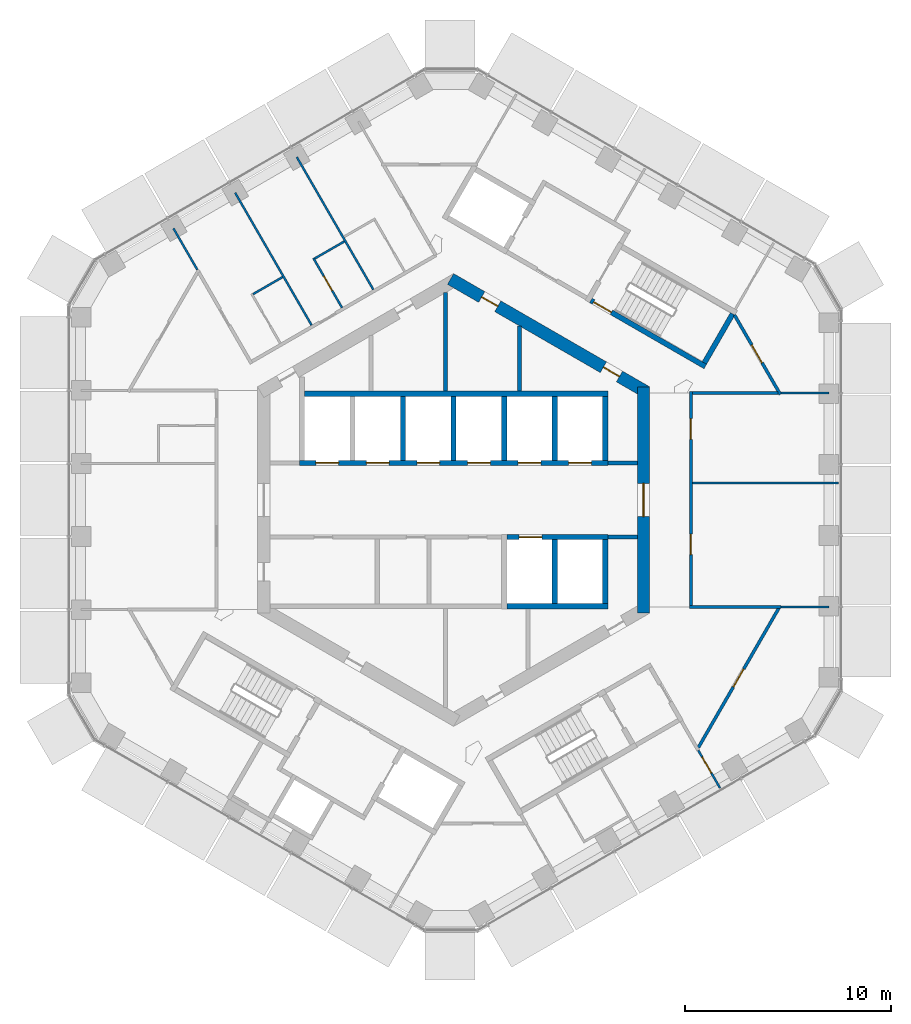
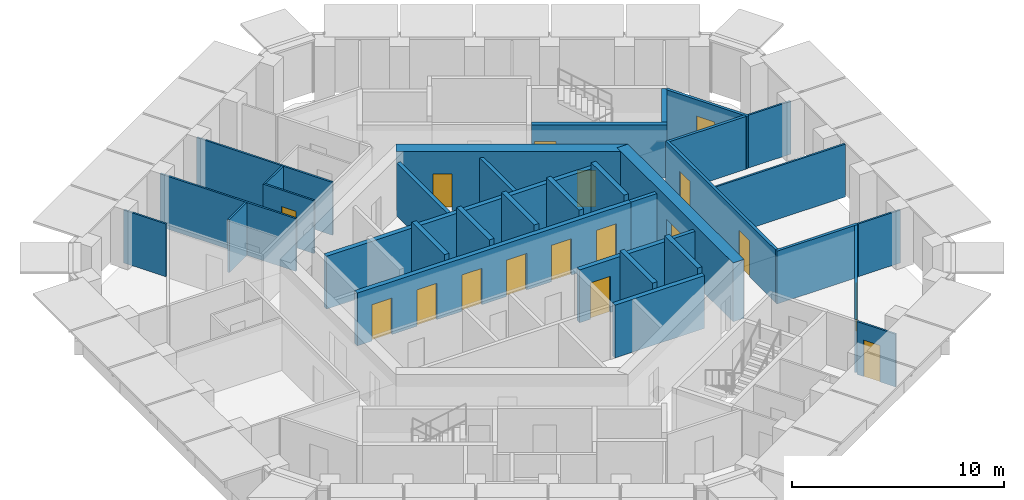
# One storey, part 15 of 18: 34 walls, 17 doors, 17 openings.
"""IFC4 building model written with IfcOpenShell, lengths in metres."""

from ifc_helpers import new_model, si_unit, direction, frame, frame_2d, origin, place, context, subcontext, project, spatial, rectangle, extrude, material, layer, layer_set, type_object, element, fill, save


model = new_model("IFC4")

# Units and contexts
model_context = context("Model", 3, precision=1e-05, world=origin(), true_north=direction((0.0, 1.0)))
body_context = subcontext(model_context, "Body", "Model", "MODEL_VIEW")
ifc_project = project(units=[si_unit("LENGTHUNIT", "METRE"), si_unit("AREAUNIT", "SQUARE_METRE"), si_unit("VOLUMEUNIT", "CUBIC_METRE"), si_unit("PLANEANGLEUNIT", "RADIAN"), si_unit("MASSUNIT", "GRAM", prefix="KILO")], contexts=[model_context])

# Site, building, storey
site_placement = place(None, origin())
site = spatial("IfcSite", under=ifc_project, at=site_placement, CompositionType="ELEMENT")
building_placement = place(site_placement, origin())
building = spatial("IfcBuilding", under=site, at=building_placement, Name="Ayvan Gate Tower", CompositionType="ELEMENT")
storey_placement = place(building_placement, frame((0.0, 0.0, 159.5)))
storey = spatial("IfcBuildingStorey", under=building, at=storey_placement, Name="L42", CompositionType="ELEMENT", Elevation=159.5)

# Wall, opening, door
ifc_material_1 = material(Name="Concrete C60/75", Category="concrete")
ifc_layer_1 = layer(ifc_material_1, 0.60009765625)
ifc_layer_set_1 = layer_set([ifc_layer_1], Name="Concrete C60/75")
wall_type_1 = type_object("IfcWallType", Name="Core wall 600 C60/75", PredefinedType="SHEAR", material=ifc_layer_set_1)
wall_1_placement = place(storey_placement, frame((9.199951171875, -5.48486328125, 0.0), z_axis=(0.0, 0.0, 1.0), x_axis=(0.0, 1.0, 0.0)))
wall_1 = element("IfcWall", 1, at=wall_1_placement, inside=storey, type_object=wall_type_1, Name="CORE-L42-0", PredefinedType="SHEAR", context=body_context, shape_type="SweptSolid", body=[
    extrude(rectangle(XDim=10.9697265625, YDim=0.60009765625, at=frame_2d((5.48486328125, 0.0))), origin(), (0.0, 0.0, 1.0), 3.39990234375),
])
opening_1_placement = place(wall_1_placement, frame((4.684814453125, 0.0, 0.0)))
opening_1 = element("IfcOpeningElement", 2, at=opening_1_placement, cuts=wall_1, Name="Opening L42-D53", PredefinedType="OPENING", context=body_context, shape_type="SweptSolid", body=[
    extrude(rectangle(XDim=1.60009765625, YDim=2.10009765625, at=frame_2d((0.800048828125, 1.050048828125))), frame((0.0, 0.31005859375, 0.0), z_axis=(0.0, -1.0, 0.0), x_axis=(1.0, 0.0, 0.0)), (0.0, 0.0, 1.0), 0.6201171875),
])
ifc_material_2 = material(Name="Timber door leaf", Category="wood")
door_type_1 = type_object("IfcDoorType", Name="DT-1600", OperationType="NOTDEFINED", PredefinedType="DOOR", material=ifc_material_2)
door_1_placement = place(opening_1_placement, origin())
door_1 = element("IfcDoor", 3, at=door_1_placement, inside=storey, type_object=door_type_1, Name="CD-L42-53", OperationType="SINGLE_SWING_LEFT", OverallHeight=2.10009765625, OverallWidth=1.60009765625, PredefinedType="DOOR", context=body_context, shape_type="SweptSolid", body=[
    extrude(rectangle(XDim=1.60009765625, YDim=2.10009765625, at=frame_2d((0.800048828125, 1.050048828125))), frame((0.0, 0.02490234375, 0.0), z_axis=(0.0, -1.0, 0.0), x_axis=(1.0, 0.0, 0.0)), (0.0, 0.0, 1.0), 0.050048828125),
])
fill(opening_1, door_1)

# Wall, openings, doors
wall_2_placement = place(storey_placement, frame((9.35009765625, 5.22509765625, 0.0), z_axis=(0.0, 0.0, 1.0), x_axis=(-0.866023993627, 0.500002442456, 0.0)))
wall_2 = element("IfcWall", 4, at=wall_2_placement, inside=storey, type_object=wall_type_1, Name="CORE-L42-1", PredefinedType="SHEAR", context=body_context, shape_type="SweptSolid", body=[
    extrude(rectangle(XDim=10.9697265625, YDim=0.60009765625, at=frame_2d((5.48486328125, 0.0))), origin(), (0.0, 0.0, 1.0), 3.39990234375),
])
opening_2_placement = place(wall_2_placement, frame((8.3251953125, 0.0, 0.0)))
opening_2 = element("IfcOpeningElement", 5, at=opening_2_placement, cuts=wall_2, Name="Opening L42-D47", PredefinedType="OPENING", context=body_context, shape_type="SweptSolid", body=[
    extrude(rectangle(XDim=0.89990234375, YDim=2.10009765625, at=frame_2d((0.449951171875, 1.050048828125))), frame((0.0, 0.31005859375, 0.0), z_axis=(0.0, -1.0, 0.0), x_axis=(1.0, 0.0, 0.0)), (0.0, 0.0, 1.0), 0.6201171875),
])
opening_3_placement = place(wall_2_placement, frame((1.518310546875, 0.0, 0.0)))
opening_3 = element("IfcOpeningElement", 6, at=opening_3_placement, cuts=wall_2, Name="Opening L42-D48", PredefinedType="OPENING", context=body_context, shape_type="SweptSolid", body=[
    extrude(rectangle(XDim=0.89990234375, YDim=2.10009765625, at=frame_2d((0.449951171875, 1.050048828125))), frame((0.0, 0.31005859375, 0.0), z_axis=(0.0, -1.0, 0.0), x_axis=(1.0, 0.0, 0.0)), (0.0, 0.0, 1.0), 0.6201171875),
])
door_type_2 = type_object("IfcDoorType", Name="DT-900", OperationType="NOTDEFINED", PredefinedType="DOOR", material=ifc_material_2)
door_2_placement = place(opening_2_placement, origin())
door_2 = element("IfcDoor", 7, at=door_2_placement, inside=storey, type_object=door_type_2, Name="CD-L42-47", OperationType="SINGLE_SWING_LEFT", OverallHeight=2.10009765625, OverallWidth=0.89990234375, PredefinedType="DOOR", context=body_context, shape_type="SweptSolid", body=[
    extrude(rectangle(XDim=0.89990234375, YDim=2.10009765625, at=frame_2d((0.449951171875, 1.050048828125))), frame((0.0, 0.02490234375, 0.0), z_axis=(0.0, -1.0, 0.0), x_axis=(1.0, 0.0, 0.0)), (0.0, 0.0, 1.0), 0.050048828125),
])
fill(opening_2, door_2)
door_3_placement = place(opening_3_placement, origin())
door_3 = element("IfcDoor", 8, at=door_3_placement, inside=storey, type_object=door_type_2, Name="CD-L42-48", OperationType="SINGLE_SWING_RIGHT", OverallHeight=2.10009765625, OverallWidth=0.89990234375, PredefinedType="DOOR", context=body_context, shape_type="SweptSolid", body=[
    extrude(rectangle(XDim=0.89990234375, YDim=2.10009765625, at=frame_2d((0.449951171875, 1.050048828125))), frame((0.0, 0.02490234375, 0.0), z_axis=(0.0, -1.0, 0.0), x_axis=(1.0, 0.0, 0.0)), (0.0, 0.0, 1.0), 0.050048828125),
])
fill(opening_3, door_3)

# Wall
ifc_material_3 = material(Name="Plasterboard on steel stud", Category="steel")
ifc_layer_2 = layer(ifc_material_3, 0.14990234375)
ifc_layer_set_2 = layer_set([ifc_layer_2], Name="Plasterboard on steel stud")
wall_type_2 = type_object("IfcWallType", Name="WT-CORR-150", PredefinedType="PARTITIONING", material=ifc_layer_set_2)
wall_3_placement = place(storey_placement, frame((11.4248046875, -5.178466796875, 0.0), z_axis=(0.0, 0.0, 1.0), x_axis=(1.0, 0.0, 0.0)))
element("IfcWall", 9, at=wall_3_placement, inside=storey, type_object=wall_type_2, Name="IW-L42-097", PredefinedType="PARTITIONING", context=body_context, shape_type="SweptSolid", body=[
    extrude(rectangle(XDim=4.4443359375, YDim=0.14990234375, at=frame_2d((2.22216796875, 0.0))), origin(), (0.0, 0.0, 1.0), 3.050048828125),
])

# Wall, openings, doors
wall_4_placement = place(storey_placement, frame((11.5, -5.103515625, 0.0), z_axis=(0.0, 0.0, 1.0), x_axis=(0.0, 1.0, 0.0)))
wall_4 = element("IfcWall", 10, at=wall_4_placement, inside=storey, type_object=wall_type_2, Name="IW-L42-099", PredefinedType="PARTITIONING", context=body_context, shape_type="SweptSolid", body=[
    extrude(rectangle(XDim=10.35693359375, YDim=0.14990234375, at=frame_2d((5.178466796875, 0.0))), origin(), (0.0, 0.0, 1.0), 3.050048828125),
])
opening_4_placement = place(wall_4_placement, frame((2.451171875, 0.0, 0.0)))
opening_4 = element("IfcOpeningElement", 11, at=opening_4_placement, cuts=wall_4, Name="Opening L42-D22", PredefinedType="OPENING", context=body_context, shape_type="SweptSolid", body=[
    extrude(rectangle(XDim=1.0, YDim=2.10009765625, at=frame_2d((0.5, 1.050048828125))), frame((0.0, 0.0849609375, 0.0), z_axis=(0.0, -1.0, 0.0), x_axis=(1.0, 0.0, 0.0)), (0.0, 0.0, 1.0), 0.169921875),
])
opening_5_placement = place(wall_4_placement, frame((8.041015625, 0.0, 0.0)))
opening_5 = element("IfcOpeningElement", 12, at=opening_5_placement, cuts=wall_4, Name="Opening L42-D23", PredefinedType="OPENING", context=body_context, shape_type="SweptSolid", body=[
    extrude(rectangle(XDim=1.0, YDim=2.10009765625, at=frame_2d((0.5, 1.050048828125))), frame((0.0, 0.0849609375, 0.0), z_axis=(0.0, -1.0, 0.0), x_axis=(1.0, 0.0, 0.0)), (0.0, 0.0, 1.0), 0.169921875),
])
door_type_3 = type_object("IfcDoorType", Name="DT-1000", OperationType="NOTDEFINED", PredefinedType="DOOR", material=ifc_material_2)
door_4_placement = place(opening_4_placement, origin())
door_4 = element("IfcDoor", 13, at=door_4_placement, inside=storey, type_object=door_type_3, Name="ID-L42-022", OperationType="SINGLE_SWING_RIGHT", OverallHeight=2.10009765625, OverallWidth=1.0, PredefinedType="DOOR", context=body_context, shape_type="SweptSolid", body=[
    extrude(rectangle(XDim=1.0, YDim=2.10009765625, at=frame_2d((0.5, 1.050048828125))), frame((0.0, 0.02490234375, 0.0), z_axis=(0.0, -1.0, 0.0), x_axis=(1.0, 0.0, 0.0)), (0.0, 0.0, 1.0), 0.050048828125),
])
fill(opening_4, door_4)
door_5_placement = place(opening_5_placement, origin())
door_5 = element("IfcDoor", 14, at=door_5_placement, inside=storey, type_object=door_type_3, Name="ID-L42-023", OperationType="SINGLE_SWING_LEFT", OverallHeight=2.10009765625, OverallWidth=1.0, PredefinedType="DOOR", context=body_context, shape_type="SweptSolid", body=[
    extrude(rectangle(XDim=1.0, YDim=2.10009765625, at=frame_2d((0.5, 1.050048828125))), frame((0.0, 0.02490234375, 0.0), z_axis=(0.0, -1.0, 0.0), x_axis=(1.0, 0.0, 0.0)), (0.0, 0.0, 1.0), 0.050048828125),
])
fill(opening_5, door_5)

# Wall, opening, door
wall_5_placement = place(storey_placement, frame((13.611328125, 8.958984375, 0.0), z_axis=(0.0, 0.0, 1.0), x_axis=(0.50000642917, -0.866021691869, 0.0)))
wall_5 = element("IfcWall", 15, at=wall_5_placement, inside=storey, type_object=wall_type_2, Name="IW-L42-103", PredefinedType="PARTITIONING", context=body_context, shape_type="SweptSolid", body=[
    extrude(rectangle(XDim=4.4404296875, YDim=0.14990234375, at=frame_2d((2.22021484375, 0.0))), origin(), (0.0, 0.0, 1.0), 3.050048828125),
])
opening_6_placement = place(wall_5_placement, frame((1.665283203125, 0.0, 0.0)))
opening_6 = element("IfcOpeningElement", 16, at=opening_6_placement, cuts=wall_5, Name="Opening L42-D24", PredefinedType="OPENING", context=body_context, shape_type="SweptSolid", body=[
    extrude(rectangle(XDim=1.0, YDim=2.10009765625, at=frame_2d((0.5, 1.050048828125))), frame((0.0, 0.0849609375, 0.0), z_axis=(0.0, -1.0, 0.0), x_axis=(1.0, 0.0, 0.0)), (0.0, 0.0, 1.0), 0.169921875),
])
door_6_placement = place(opening_6_placement, origin())
door_6 = element("IfcDoor", 17, at=door_6_placement, inside=storey, type_object=door_type_3, Name="ID-L42-024", OperationType="SINGLE_SWING_RIGHT", OverallHeight=2.10009765625, OverallWidth=1.0, PredefinedType="DOOR", context=body_context, shape_type="SweptSolid", body=[
    extrude(rectangle(XDim=1.0, YDim=2.10009765625, at=frame_2d((0.5, 1.050048828125))), frame((0.0, 0.02490234375, 0.0), z_axis=(0.0, -1.0, 0.0), x_axis=(1.0, 0.0, 0.0)), (0.0, 0.0, 1.0), 0.050048828125),
])
fill(opening_6, door_6)

wall_6_placement = place(storey_placement, frame((15.756591796875, -5.243408203125, 0.0), z_axis=(0.0, 0.0, 1.0), x_axis=(-0.500001355988, -0.866024620903, 0.0)))
wall_6 = element("IfcWall", 18, at=wall_6_placement, inside=storey, type_object=wall_type_2, Name="IW-L42-107", PredefinedType="PARTITIONING", context=body_context, shape_type="SweptSolid", body=[
    extrude(rectangle(XDim=7.8046875, YDim=0.14990234375, at=frame_2d((3.90234375, 0.0))), origin(), (0.0, 0.0, 1.0), 3.050048828125),
])
opening_7_placement = place(wall_6_placement, frame((3.40234375, 0.0, 0.0)))
opening_7 = element("IfcOpeningElement", 19, at=opening_7_placement, cuts=wall_6, Name="Opening L42-D37", PredefinedType="OPENING", context=body_context, shape_type="SweptSolid", body=[
    extrude(rectangle(XDim=1.0, YDim=2.10009765625, at=frame_2d((0.5, 1.050048828125))), frame((0.0, 0.0849609375, 0.0), z_axis=(0.0, -1.0, 0.0), x_axis=(1.0, 0.0, 0.0)), (0.0, 0.0, 1.0), 0.169921875),
])
door_7_placement = place(opening_7_placement, origin())
door_7 = element("IfcDoor", 20, at=door_7_placement, inside=storey, type_object=door_type_3, Name="ID-L42-037", OperationType="SINGLE_SWING_LEFT", OverallHeight=2.10009765625, OverallWidth=1.0, PredefinedType="DOOR", context=body_context, shape_type="SweptSolid", body=[
    extrude(rectangle(XDim=1.0, YDim=2.10009765625, at=frame_2d((0.5, 1.050048828125))), frame((0.0, 0.02490234375, 0.0), z_axis=(0.0, -1.0, 0.0), x_axis=(1.0, 0.0, 0.0)), (0.0, 0.0, 1.0), 0.050048828125),
])
fill(opening_7, door_7)

# Walls
wall_7_placement = place(storey_placement, frame((15.718994140625, 5.178466796875, 0.0), z_axis=(0.0, 0.0, 1.0), x_axis=(-1.0, 0.0, 0.0)))
element("IfcWall", 21, at=wall_7_placement, inside=storey, type_object=wall_type_2, Name="IW-L42-108", PredefinedType="PARTITIONING", context=body_context, shape_type="SweptSolid", body=[
    extrude(rectangle(XDim=4.14404296875, YDim=0.14990234375, at=frame_2d((2.072021484375, 0.0))), origin(), (0.0, 0.0, 1.0), 3.050048828125),
])
ifc_layer_3 = layer(ifc_material_3, 0.10009765625)
ifc_layer_set_3 = layer_set([ifc_layer_3], Name="Plasterboard on steel stud")
wall_type_3 = type_object("IfcWallType", Name="WT-PART-100", PredefinedType="PARTITIONING", material=ifc_layer_set_3)
wall_8_placement = place(storey_placement, frame((-13.577880859375, 13.16064453125, 0.0), z_axis=(0.0, 0.0, 1.0), x_axis=(0.500014285048, -0.866017156151, 0.0)))
element("IfcWall", 22, at=wall_8_placement, inside=storey, type_object=wall_type_3, Name="IW-L42-007", PredefinedType="PARTITIONING", context=body_context, shape_type="SweptSolid", body=[
    extrude(rectangle(XDim=2.3173828125, YDim=0.10009765625, at=frame_2d((1.15869140625, 0.0))), origin(), (0.0, 0.0, 1.0), 3.050048828125),
])
wall_9_placement = place(storey_placement, frame((-8.2880859375, 10.80322265625, 0.0), z_axis=(0.0, 0.0, 1.0), x_axis=(-0.866052736899, -0.499952654668, 0.0)))
element("IfcWall", 23, at=wall_9_placement, inside=storey, type_object=wall_type_3, Name="IW-L42-023", PredefinedType="PARTITIONING", context=body_context, shape_type="SweptSolid", body=[
    extrude(rectangle(XDim=1.652587890625, YDim=0.10009765625, at=frame_2d((0.826171875, 0.0))), origin(), (0.0, 0.0, 1.0), 3.050048828125),
])
wall_10_placement = place(storey_placement, frame((-10.588134765625, 14.886962890625, 0.0), z_axis=(0.0, 0.0, 1.0), x_axis=(0.499997136009, -0.866027057304, 0.0)))
element("IfcWall", 24, at=wall_10_placement, inside=storey, type_object=wall_type_3, Name="IW-L42-024", PredefinedType="PARTITIONING", context=body_context, shape_type="SweptSolid", body=[
    extrude(rectangle(XDim=7.41162109375, YDim=0.10009765625, at=frame_2d((3.705810546875, 0.0))), origin(), (0.0, 0.0, 1.0), 3.050048828125),
])

# Wall, opening, door
wall_11_placement = place(storey_placement, frame((-6.797607421875, 11.7216796875, 0.0), z_axis=(0.0, 0.0, 1.0), x_axis=(0.499971228071, -0.866042014628, 0.0)))
wall_11 = element("IfcWall", 25, at=wall_11_placement, inside=storey, type_object=wall_type_3, Name="IW-L42-031", PredefinedType="PARTITIONING", context=body_context, shape_type="SweptSolid", body=[
    extrude(rectangle(XDim=2.775146484375, YDim=0.10009765625, at=frame_2d((1.3876953125, 0.0))), origin(), (0.0, 0.0, 1.0), 3.050048828125),
])
opening_8_placement = place(wall_11_placement, frame((1.012451171875, 0.0, 0.0)))
opening_8 = element("IfcOpeningElement", 26, at=opening_8_placement, cuts=wall_11, Name="Opening L42-D42", PredefinedType="OPENING", context=body_context, shape_type="SweptSolid", body=[
    extrude(rectangle(XDim=0.800048828125, YDim=2.10009765625, at=frame_2d((0.39990234375, 1.050048828125))), frame((0.0, 0.06005859375, 0.0), z_axis=(0.0, -1.0, 0.0), x_axis=(1.0, 0.0, 0.0)), (0.0, 0.0, 1.0), 0.1201171875),
])
door_type_4 = type_object("IfcDoorType", Name="DT-800", OperationType="NOTDEFINED", PredefinedType="DOOR", material=ifc_material_2)
door_8_placement = place(opening_8_placement, origin())
door_8 = element("IfcDoor", 27, at=door_8_placement, inside=storey, type_object=door_type_4, Name="ID-L42-042", OperationType="SINGLE_SWING_RIGHT", OverallHeight=2.10009765625, OverallWidth=0.800048828125, PredefinedType="DOOR", context=body_context, shape_type="SweptSolid", body=[
    extrude(rectangle(XDim=0.800048828125, YDim=2.10009765625, at=frame_2d((0.39990234375, 1.050048828125))), frame((0.0, 0.02490234375, 0.0), z_axis=(0.0, -1.0, 0.0), x_axis=(1.0, 0.0, 0.0)), (0.0, 0.0, 1.0), 0.050048828125),
])
fill(opening_8, door_8)

# Walls
wall_12_placement = place(storey_placement, frame((-5.29833984375, 12.529296875, 0.0), z_axis=(0.0, 0.0, 1.0), x_axis=(-0.866116703855, -0.499841830287, 0.0)))
element("IfcWall", 28, at=wall_12_placement, inside=storey, type_object=wall_type_3, Name="IW-L42-035", PredefinedType="PARTITIONING", context=body_context, shape_type="SweptSolid", body=[
    extrude(rectangle(XDim=1.65234375, YDim=0.10009765625, at=frame_2d((0.826171875, 0.0))), origin(), (0.0, 0.0, 1.0), 3.050048828125),
])
wall_13_placement = place(storey_placement, frame((-7.598388671875, 16.613037109375, 0.0), z_axis=(0.0, 0.0, 1.0), x_axis=(0.500011399757, -0.866018822032, 0.0)))
element("IfcWall", 29, at=wall_13_placement, inside=storey, type_object=wall_type_3, Name="IW-L42-036", PredefinedType="PARTITIONING", context=body_context, shape_type="SweptSolid", body=[
    extrude(rectangle(XDim=7.411376953125, YDim=0.10009765625, at=frame_2d((3.70556640625, 0.0))), origin(), (0.0, 0.0, 1.0), 3.050048828125),
])
wall_14_placement = place(storey_placement, frame((11.574951171875, 0.82861328125, 0.0), z_axis=(0.0, 0.0, 1.0), x_axis=(1.0, 0.0, 0.0)))
element("IfcWall", 30, at=wall_14_placement, inside=storey, type_object=wall_type_3, Name="IW-L42-098", PredefinedType="PARTITIONING", context=body_context, shape_type="SweptSolid", body=[
    extrude(rectangle(XDim=7.08251953125, YDim=0.10009765625, at=frame_2d((3.541259765625, 0.0))), origin(), (0.0, 0.0, 1.0), 3.050048828125),
])

# Wall, opening, door
wall_15_placement = place(storey_placement, frame((12.90673828125, -13.955078125, 0.0), z_axis=(0.0, 0.0, 1.0), x_axis=(-0.50004374799, 0.866000144397, 0.0)))
wall_15 = element("IfcWall", 31, at=wall_15_placement, inside=storey, type_object=wall_type_3, Name="IW-L42-102", PredefinedType="PARTITIONING", context=body_context, shape_type="SweptSolid", body=[
    extrude(rectangle(XDim=2.104736328125, YDim=0.10009765625, at=frame_2d((1.05224609375, 0.0))), origin(), (0.0, 0.0, 1.0), 3.050048828125),
])
opening_9_placement = place(wall_15_placement, frame((0.837890625, 0.0, 0.0)))
opening_9 = element("IfcOpeningElement", 32, at=opening_9_placement, cuts=wall_15, Name="Opening L42-D38", PredefinedType="OPENING", context=body_context, shape_type="SweptSolid", body=[
    extrude(rectangle(XDim=0.89990234375, YDim=2.10009765625, at=frame_2d((0.449951171875, 1.050048828125))), frame((0.0, 0.06005859375, 0.0), z_axis=(0.0, -1.0, 0.0), x_axis=(1.0, 0.0, 0.0)), (0.0, 0.0, 1.0), 0.1201171875),
])
door_9_placement = place(opening_9_placement, origin())
door_9 = element("IfcDoor", 33, at=door_9_placement, inside=storey, type_object=door_type_2, Name="ID-L42-038", OperationType="SINGLE_SWING_RIGHT", OverallHeight=2.10009765625, OverallWidth=0.89990234375, PredefinedType="DOOR", context=body_context, shape_type="SweptSolid", body=[
    extrude(rectangle(XDim=0.89990234375, YDim=2.10009765625, at=frame_2d((0.449951171875, 1.050048828125))), frame((0.0, 0.02490234375, 0.0), z_axis=(0.0, -1.0, 0.0), x_axis=(1.0, 0.0, 0.0)), (0.0, 0.0, 1.0), 0.050048828125),
])
fill(opening_9, door_9)

# Walls
wall_16_placement = place(storey_placement, frame((15.868896484375, 5.178466796875, 0.0), z_axis=(0.0, 0.0, 1.0), x_axis=(1.0, 0.0, 0.0)))
element("IfcWall", 34, at=wall_16_placement, inside=storey, type_object=wall_type_3, Name="IW-L42-106", PredefinedType="PARTITIONING", context=body_context, shape_type="SweptSolid", body=[
    extrude(rectangle(XDim=2.317626953125, YDim=0.10009765625, at=frame_2d((1.15869140625, 0.0))), origin(), (0.0, 0.0, 1.0), 3.050048828125),
])
wall_17_placement = place(storey_placement, frame((18.1865234375, -5.178466796875, 0.0), z_axis=(0.0, 0.0, 1.0), x_axis=(-1.0, 0.0, 0.0)))
element("IfcWall", 35, at=wall_17_placement, inside=storey, type_object=wall_type_3, Name="IW-L42-109", PredefinedType="PARTITIONING", context=body_context, shape_type="SweptSolid", body=[
    extrude(rectangle(XDim=2.3173828125, YDim=0.10009765625, at=frame_2d((1.15869140625, 0.0))), origin(), (0.0, 0.0, 1.0), 3.050048828125),
])
ifc_layer_4 = layer(ifc_material_3, 0.199951171875)
ifc_layer_set_4 = layer_set([ifc_layer_4], Name="Plasterboard on steel stud")
wall_type_4 = type_object("IfcWallType", Name="WT-RATED-200", PredefinedType="PARTITIONING", material=ifc_layer_set_4)
wall_18_placement = place(storey_placement, frame((-0.39990234375, 10.0458984375, 0.0), z_axis=(0.0, 0.0, 1.0), x_axis=(0.0, -1.0, 0.0)))
element("IfcWall", 36, at=wall_18_placement, inside=storey, type_object=wall_type_4, Name="IW-L42-057", PredefinedType="PARTITIONING", context=body_context, shape_type="SweptSolid", body=[
    extrude(rectangle(XDim=4.77099609375, YDim=0.199951171875, at=frame_2d((2.385498046875, 0.0))), origin(), (0.0, 0.0, 1.0), 3.050048828125),
])
wall_19_placement = place(storey_placement, frame((3.199951171875, 8.42919921875, 0.0), z_axis=(0.0, 0.0, 1.0), x_axis=(0.0, -1.0, 0.0)))
element("IfcWall", 37, at=wall_19_placement, inside=storey, type_object=wall_type_4, Name="IW-L42-070", PredefinedType="PARTITIONING", context=body_context, shape_type="SweptSolid", body=[
    extrude(rectangle(XDim=3.154296875, YDim=0.199951171875, at=frame_2d((1.5771484375, 0.0))), origin(), (0.0, 0.0, 1.0), 3.050048828125),
])
for number, where, z_axis, x_axis, name in (
    (38, (7.474853515625, 1.800048828125, 0.0), (0.0, 0.0, 1.0), (1.0, 0.0, 0.0), "IW-L42-088"),
    (39, (8.89990234375, -1.800048828125, 0.0), (0.0, 0.0, 1.0), (-1.0, 0.0, 0.0), "IW-L42-094"),
):
    element("IfcWall", number, at=place(storey_placement, frame(where, z_axis=z_axis, x_axis=x_axis)), inside=storey, type_object=wall_type_4, Name=name, PredefinedType="PARTITIONING", context=body_context, shape_type="SweptSolid", body=[
        extrude(rectangle(XDim=1.425048828125, YDim=0.199951171875, at=frame_2d((0.71240234375, 0.0))), origin(), (0.0, 0.0, 1.0), 3.050048828125),
    ])

# Wall, openings, doors
ifc_material_4 = material(Name="Concrete C50/60", Category="concrete")
ifc_layer_5 = layer(ifc_material_4, 0.25)
ifc_layer_set_5 = layer_set([ifc_layer_5], Name="Concrete C50/60")
wall_type_5 = type_object("IfcWallType", Name="WT-RC-250", PredefinedType="SHEAR", material=ifc_layer_set_5)
wall_20_placement = place(storey_placement, frame((-7.47509765625, 1.800048828125, 0.0), z_axis=(0.0, 0.0, 1.0), x_axis=(1.0, 0.0, 0.0)))
wall_20 = element("IfcWall", 40, at=wall_20_placement, inside=storey, type_object=wall_type_5, Name="IW-L42-027", PredefinedType="SHEAR", context=body_context, shape_type="SweptSolid", body=[
    extrude(rectangle(XDim=14.9501953125, YDim=0.25, at=frame_2d((7.47509765625, 0.0))), origin(), (0.0, 0.0, 1.0), 3.050048828125),
])
opening_10_placement = place(wall_20_placement, frame((0.800048828125, 0.0, 0.0)))
opening_10 = element("IfcOpeningElement", 41, at=opening_10_placement, cuts=wall_20, Name="Opening L42-LD-HR1", PredefinedType="OPENING", context=body_context, shape_type="SweptSolid", body=[
    extrude(rectangle(XDim=1.10009765625, YDim=2.10009765625, at=frame_2d((0.550048828125, 1.050048828125))), frame((0.0, 0.135009765625, 0.0), z_axis=(0.0, -1.0, 0.0), x_axis=(1.0, 0.0, 0.0)), (0.0, 0.0, 1.0), 0.27001953125),
])
opening_11_placement = place(wall_20_placement, frame((3.25, 0.0, 0.0)))
opening_11 = element("IfcOpeningElement", 42, at=opening_11_placement, cuts=wall_20, Name="Opening L42-LD-HR2", PredefinedType="OPENING", context=body_context, shape_type="SweptSolid", body=[
    extrude(rectangle(XDim=1.10009765625, YDim=2.10009765625, at=frame_2d((0.550048828125, 1.050048828125))), frame((0.0, 0.135009765625, 0.0), z_axis=(0.0, -1.0, 0.0), x_axis=(1.0, 0.0, 0.0)), (0.0, 0.0, 1.0), 0.27001953125),
])
opening_12_placement = place(wall_20_placement, frame((5.7001953125, 0.0, 0.0)))
opening_12 = element("IfcOpeningElement", 43, at=opening_12_placement, cuts=wall_20, Name="Opening L42-LD-HR3", PredefinedType="OPENING", context=body_context, shape_type="SweptSolid", body=[
    extrude(rectangle(XDim=1.10009765625, YDim=2.10009765625, at=frame_2d((0.550048828125, 1.050048828125))), frame((0.0, 0.135009765625, 0.0), z_axis=(0.0, -1.0, 0.0), x_axis=(1.0, 0.0, 0.0)), (0.0, 0.0, 1.0), 0.27001953125),
])
opening_13_placement = place(wall_20_placement, frame((8.150146484375, 0.0, 0.0)))
opening_13 = element("IfcOpeningElement", 44, at=opening_13_placement, cuts=wall_20, Name="Opening L42-LD-HR4", PredefinedType="OPENING", context=body_context, shape_type="SweptSolid", body=[
    extrude(rectangle(XDim=1.10009765625, YDim=2.10009765625, at=frame_2d((0.550048828125, 1.050048828125))), frame((0.0, 0.135009765625, 0.0), z_axis=(0.0, -1.0, 0.0), x_axis=(1.0, 0.0, 0.0)), (0.0, 0.0, 1.0), 0.27001953125),
])
opening_14_placement = place(wall_20_placement, frame((10.60009765625, 0.0, 0.0)))
opening_14 = element("IfcOpeningElement", 45, at=opening_14_placement, cuts=wall_20, Name="Opening L42-LD-HR5", PredefinedType="OPENING", context=body_context, shape_type="SweptSolid", body=[
    extrude(rectangle(XDim=1.10009765625, YDim=2.10009765625, at=frame_2d((0.550048828125, 1.050048828125))), frame((0.0, 0.135009765625, 0.0), z_axis=(0.0, -1.0, 0.0), x_axis=(1.0, 0.0, 0.0)), (0.0, 0.0, 1.0), 0.27001953125),
])
opening_15_placement = place(wall_20_placement, frame((13.050048828125, 0.0, 0.0)))
opening_15 = element("IfcOpeningElement", 46, at=opening_15_placement, cuts=wall_20, Name="Opening L42-LD-HR6", PredefinedType="OPENING", context=body_context, shape_type="SweptSolid", body=[
    extrude(rectangle(XDim=1.10009765625, YDim=2.10009765625, at=frame_2d((0.550048828125, 1.050048828125))), frame((0.0, 0.135009765625, 0.0), z_axis=(0.0, -1.0, 0.0), x_axis=(1.0, 0.0, 0.0)), (0.0, 0.0, 1.0), 0.27001953125),
])
ifc_material_5 = material(Name="Stainless steel landing door", Category="steel")
door_type_5 = type_object("IfcDoorType", Name="DT-LANDING-1100", OperationType="SLIDING_TO_LEFT", PredefinedType="DOOR", material=ifc_material_5)
door_10_placement = place(opening_10_placement, origin())
door_10 = element("IfcDoor", 47, at=door_10_placement, inside=storey, type_object=door_type_5, Name="ID-L42-001", OperationType="SLIDING_TO_LEFT", OverallHeight=2.10009765625, OverallWidth=1.10009765625, PredefinedType="DOOR", context=body_context, shape_type="SweptSolid", body=[
    extrude(rectangle(XDim=1.10009765625, YDim=2.10009765625, at=frame_2d((0.550048828125, 1.050048828125))), frame((0.0, 0.02490234375, 0.0), z_axis=(0.0, -1.0, 0.0), x_axis=(1.0, 0.0, 0.0)), (0.0, 0.0, 1.0), 0.050048828125),
])
fill(opening_10, door_10)
door_11_placement = place(opening_11_placement, origin())
door_11 = element("IfcDoor", 48, at=door_11_placement, inside=storey, type_object=door_type_5, Name="ID-L42-002", OperationType="SLIDING_TO_LEFT", OverallHeight=2.10009765625, OverallWidth=1.10009765625, PredefinedType="DOOR", context=body_context, shape_type="SweptSolid", body=[
    extrude(rectangle(XDim=1.10009765625, YDim=2.10009765625, at=frame_2d((0.550048828125, 1.050048828125))), frame((0.0, 0.02490234375, 0.0), z_axis=(0.0, -1.0, 0.0), x_axis=(1.0, 0.0, 0.0)), (0.0, 0.0, 1.0), 0.050048828125),
])
fill(opening_11, door_11)
door_12_placement = place(opening_12_placement, origin())
door_12 = element("IfcDoor", 49, at=door_12_placement, inside=storey, type_object=door_type_5, Name="ID-L42-003", OperationType="SLIDING_TO_LEFT", OverallHeight=2.10009765625, OverallWidth=1.10009765625, PredefinedType="DOOR", context=body_context, shape_type="SweptSolid", body=[
    extrude(rectangle(XDim=1.10009765625, YDim=2.10009765625, at=frame_2d((0.550048828125, 1.050048828125))), frame((0.0, 0.02490234375, 0.0), z_axis=(0.0, -1.0, 0.0), x_axis=(1.0, 0.0, 0.0)), (0.0, 0.0, 1.0), 0.050048828125),
])
fill(opening_12, door_12)
door_13_placement = place(opening_13_placement, origin())
door_13 = element("IfcDoor", 50, at=door_13_placement, inside=storey, type_object=door_type_5, Name="ID-L42-004", OperationType="SLIDING_TO_LEFT", OverallHeight=2.10009765625, OverallWidth=1.10009765625, PredefinedType="DOOR", context=body_context, shape_type="SweptSolid", body=[
    extrude(rectangle(XDim=1.10009765625, YDim=2.10009765625, at=frame_2d((0.550048828125, 1.050048828125))), frame((0.0, 0.02490234375, 0.0), z_axis=(0.0, -1.0, 0.0), x_axis=(1.0, 0.0, 0.0)), (0.0, 0.0, 1.0), 0.050048828125),
])
fill(opening_13, door_13)
door_14_placement = place(opening_14_placement, origin())
door_14 = element("IfcDoor", 51, at=door_14_placement, inside=storey, type_object=door_type_5, Name="ID-L42-005", OperationType="SLIDING_TO_LEFT", OverallHeight=2.10009765625, OverallWidth=1.10009765625, PredefinedType="DOOR", context=body_context, shape_type="SweptSolid", body=[
    extrude(rectangle(XDim=1.10009765625, YDim=2.10009765625, at=frame_2d((0.550048828125, 1.050048828125))), frame((0.0, 0.02490234375, 0.0), z_axis=(0.0, -1.0, 0.0), x_axis=(1.0, 0.0, 0.0)), (0.0, 0.0, 1.0), 0.050048828125),
])
fill(opening_14, door_14)
door_15_placement = place(opening_15_placement, origin())
door_15 = element("IfcDoor", 52, at=door_15_placement, inside=storey, type_object=door_type_5, Name="ID-L42-006", OperationType="SLIDING_TO_LEFT", OverallHeight=2.10009765625, OverallWidth=1.10009765625, PredefinedType="DOOR", context=body_context, shape_type="SweptSolid", body=[
    extrude(rectangle(XDim=1.10009765625, YDim=2.10009765625, at=frame_2d((0.550048828125, 1.050048828125))), frame((0.0, 0.02490234375, 0.0), z_axis=(0.0, -1.0, 0.0), x_axis=(1.0, 0.0, 0.0)), (0.0, 0.0, 1.0), 0.050048828125),
])
fill(opening_15, door_15)

# Walls
wall_21_placement = place(storey_placement, frame((-7.22509765625, 5.14990234375, 0.0), z_axis=(0.0, 0.0, 1.0), x_axis=(1.0, 0.0, 0.0)))
element("IfcWall", 53, at=wall_21_placement, inside=storey, type_object=wall_type_5, Name="IW-L42-029", PredefinedType="SHEAR", context=body_context, shape_type="SweptSolid", body=[
    extrude(rectangle(XDim=14.7001953125, YDim=0.25, at=frame_2d((7.35009765625, 0.0))), origin(), (0.0, 0.0, 1.0), 3.050048828125),
])
for number, where, z_axis, x_axis, name in (
    (54, (-2.449951171875, 5.02490234375, 0.0), (0.0, 0.0, 1.0), (0.0, -1.0, 0.0), "IW-L42-049"),
    (55, (0.0, 5.02490234375, 0.0), (0.0, 0.0, 1.0), (0.0, -1.0, 0.0), "IW-L42-059"),
    (56, (2.449951171875, 5.02490234375, 0.0), (0.0, 0.0, 1.0), (0.0, -1.0, 0.0), "IW-L42-064"),
):
    element("IfcWall", number, at=place(storey_placement, frame(where, z_axis=z_axis, x_axis=x_axis)), inside=storey, type_object=wall_type_5, Name=name, PredefinedType="SHEAR", context=body_context, shape_type="SweptSolid", body=[
        extrude(rectangle(XDim=3.099853515625, YDim=0.25, at=frame_2d((1.5498046875, 0.0))), origin(), (0.0, 0.0, 1.0), 3.39990234375),
    ])
wall_22_placement = place(storey_placement, frame((2.574951171875, -5.14990234375, 0.0), z_axis=(0.0, 0.0, 1.0), x_axis=(1.0, 0.0, 0.0)))
element("IfcWall", 57, at=wall_22_placement, inside=storey, type_object=wall_type_5, Name="IW-L42-074", PredefinedType="SHEAR", context=body_context, shape_type="SweptSolid", body=[
    extrude(rectangle(XDim=4.900146484375, YDim=0.25, at=frame_2d((2.4501953125, 0.0))), origin(), (0.0, 0.0, 1.0), 3.050048828125),
])
for number, where, z_axis, x_axis, name in (
    (58, (4.89990234375, -1.925048828125, 0.0), (0.0, 0.0, 1.0), (0.0, -1.0, 0.0), "IW-L42-077"),
    (59, (4.89990234375, 5.02490234375, 0.0), (0.0, 0.0, 1.0), (0.0, -1.0, 0.0), "IW-L42-078"),
):
    element("IfcWall", number, at=place(storey_placement, frame(where, z_axis=z_axis, x_axis=x_axis)), inside=storey, type_object=wall_type_5, Name=name, PredefinedType="SHEAR", context=body_context, shape_type="SweptSolid", body=[
        extrude(rectangle(XDim=3.099853515625, YDim=0.25, at=frame_2d((1.5498046875, 0.0))), origin(), (0.0, 0.0, 1.0), 3.39990234375),
    ])

# Wall, opening, door
wall_23_placement = place(storey_placement, frame((2.574951171875, -1.800048828125, 0.0), z_axis=(0.0, 0.0, 1.0), x_axis=(1.0, 0.0, 0.0)))
wall_23 = element("IfcWall", 60, at=wall_23_placement, inside=storey, type_object=wall_type_5, Name="IW-L42-079", PredefinedType="SHEAR", context=body_context, shape_type="SweptSolid", body=[
    extrude(rectangle(XDim=4.900146484375, YDim=0.25, at=frame_2d((2.4501953125, 0.0))), origin(), (0.0, 0.0, 1.0), 3.050048828125),
])
opening_16_placement = place(wall_23_placement, frame((0.597412109375, 0.0, 0.0)))
opening_16 = element("IfcOpeningElement", 61, at=opening_16_placement, cuts=wall_23, Name="Opening L42-LD-SV", PredefinedType="OPENING", context=body_context, shape_type="SweptSolid", body=[
    extrude(rectangle(XDim=1.10009765625, YDim=2.10009765625, at=frame_2d((0.550048828125, 1.050048828125))), frame((0.0, 0.135009765625, 0.0), z_axis=(0.0, -1.0, 0.0), x_axis=(1.0, 0.0, 0.0)), (0.0, 0.0, 1.0), 0.27001953125),
])
door_16_placement = place(opening_16_placement, origin())
door_16 = element("IfcDoor", 62, at=door_16_placement, inside=storey, type_object=door_type_5, Name="ID-L42-007", OperationType="SLIDING_TO_LEFT", OverallHeight=2.10009765625, OverallWidth=1.10009765625, PredefinedType="DOOR", context=body_context, shape_type="SweptSolid", body=[
    extrude(rectangle(XDim=1.10009765625, YDim=2.10009765625, at=frame_2d((0.550048828125, 1.050048828125))), frame((0.0, 0.02490234375, 0.0), z_axis=(0.0, -1.0, 0.0), x_axis=(1.0, 0.0, 0.0)), (0.0, 0.0, 1.0), 0.050048828125),
])
fill(opening_16, door_16)

# Walls
for number, where, z_axis, x_axis, name in (
    (63, (7.35009765625, -1.925048828125, 0.0), (0.0, 0.0, 1.0), (0.0, -1.0, 0.0), "IW-L42-089"),
    (64, (7.35009765625, 5.02490234375, 0.0), (0.0, 0.0, 1.0), (0.0, -1.0, 0.0), "IW-L42-090"),
):
    element("IfcWall", number, at=place(storey_placement, frame(where, z_axis=z_axis, x_axis=x_axis)), inside=storey, type_object=wall_type_5, Name=name, PredefinedType="SHEAR", context=body_context, shape_type="SweptSolid", body=[
        extrude(rectangle(XDim=3.099853515625, YDim=0.25, at=frame_2d((1.5498046875, 0.0))), origin(), (0.0, 0.0, 1.0), 3.39990234375),
    ])

# Wall, opening, door
wall_24_placement = place(storey_placement, frame((12.193603515625, 6.469970703125, 0.0), z_axis=(0.0, 0.0, 1.0), x_axis=(-0.866025499775, 0.499999833739, 0.0)))
wall_24 = element("IfcWall", 65, at=wall_24_placement, inside=storey, type_object=wall_type_5, Name="IW-L42-101", PredefinedType="SHEAR", context=body_context, shape_type="SweptSolid", body=[
    extrude(rectangle(XDim=6.39990234375, YDim=0.25, at=frame_2d((3.199951171875, 0.0))), origin(), (0.0, 0.0, 1.0), 3.050048828125),
])
opening_17_placement = place(wall_24_placement, frame((5.25, 0.0, 0.0)))
opening_17 = element("IfcOpeningElement", 66, at=opening_17_placement, cuts=wall_24, Name="Opening L42-D11", PredefinedType="OPENING", context=body_context, shape_type="SweptSolid", body=[
    extrude(rectangle(XDim=1.0, YDim=2.10009765625, at=frame_2d((0.5, 1.050048828125))), frame((0.0, 0.135009765625, 0.0), z_axis=(0.0, -1.0, 0.0), x_axis=(1.0, 0.0, 0.0)), (0.0, 0.0, 1.0), 0.27001953125),
])
door_17_placement = place(opening_17_placement, origin())
door_17 = element("IfcDoor", 67, at=door_17_placement, inside=storey, type_object=door_type_3, Name="ID-L42-011", OperationType="SINGLE_SWING_LEFT", OverallHeight=2.10009765625, OverallWidth=1.0, PredefinedType="DOOR", context=body_context, shape_type="SweptSolid", body=[
    extrude(rectangle(XDim=1.0, YDim=2.10009765625, at=frame_2d((0.5, 1.050048828125))), frame((0.0, 0.02490234375, 0.0), z_axis=(0.0, -1.0, 0.0), x_axis=(1.0, 0.0, 0.0)), (0.0, 0.0, 1.0), 0.050048828125),
])
fill(opening_17, door_17)

# Wall
wall_25_placement = place(storey_placement, frame((12.14794921875, 6.640869140625, 0.0), z_axis=(0.0, 0.0, 1.0), x_axis=(0.500034990121, 0.866005201286, 0.0)))
element("IfcWall", 68, at=wall_25_placement, inside=storey, type_object=wall_type_5, Name="IW-L42-104", PredefinedType="SHEAR", context=body_context, shape_type="SweptSolid", body=[
    extrude(rectangle(XDim=2.749755859375, YDim=0.25, at=frame_2d((1.375, 0.0))), origin(), (0.0, 0.0, 1.0), 3.050048828125),
])

save(model, "model.ifc")
